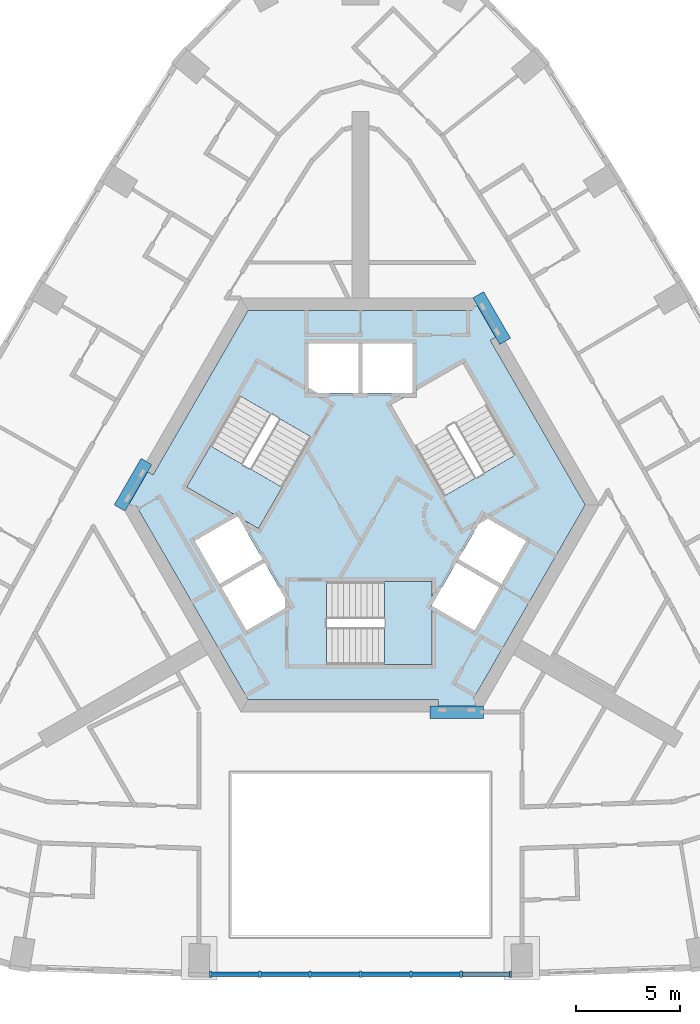
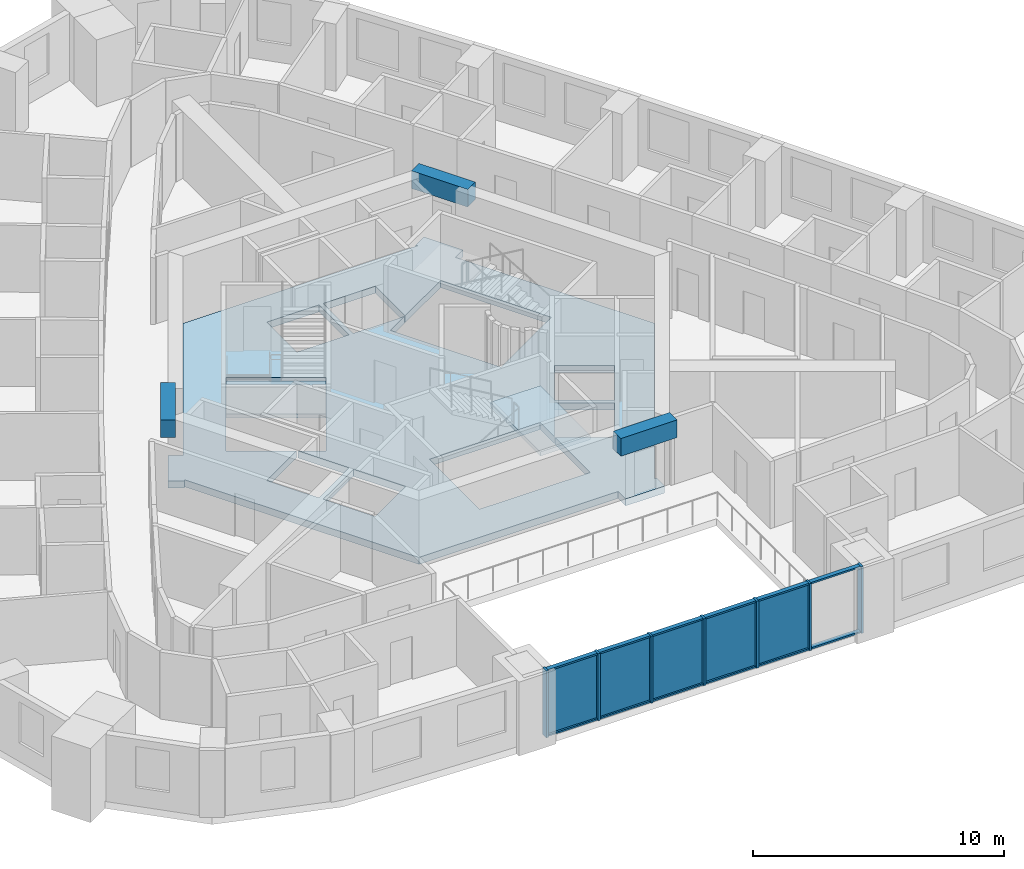
# One storey, part 2 of 12: 19 members, 5 plates, 3 beams, 3 slabs, 3 elements without a shape of their own.
"""IFC4 building model written with IfcOpenShell, lengths in metres."""

from ifc_helpers import new_model, si_unit, direction, frame, origin, origin_2d, place, context, subcontext, project, spatial, polyline, rectangle, outline, extrude, material, layer, layer_set, material_profile, profile_set, type_object, element, aggregate, save


model = new_model("IFC4")

# Units and contexts
model_context = context("Model", 3, precision=1e-05, world=origin(), true_north=direction((0.0, 1.0)))
body_context = subcontext(model_context, "Body", "Model", "MODEL_VIEW")
ifc_project = project(units=[si_unit("LENGTHUNIT", "METRE"), si_unit("AREAUNIT", "SQUARE_METRE"), si_unit("VOLUMEUNIT", "CUBIC_METRE"), si_unit("PLANEANGLEUNIT", "RADIAN"), si_unit("MASSUNIT", "GRAM", prefix="KILO")], contexts=[model_context])

# Site, building, storey
site_placement = place(None, origin())
site = spatial("IfcSite", under=ifc_project, at=site_placement, CompositionType="ELEMENT")
building_placement = place(site_placement, origin())
building = spatial("IfcBuilding", under=site, at=building_placement, Name="Entoto Arch Interchange Tower", CompositionType="ELEMENT")
storey_placement = place(building_placement, frame((0.0, 0.0, 255.800048828125)))
storey = spatial("IfcBuildingStorey", under=building, at=storey_placement, Name="L58", CompositionType="ELEMENT", Elevation=255.800048828125)

# Beams
ifc_material_1 = material(Name="Concrete C40/50", Category="concrete")
ifc_material_profile_1 = material_profile(ifc_material_1, rectangle(XDim=0.60009765625, YDim=0.860107421875, at=origin_2d()))
ifc_profile_set_1 = profile_set([ifc_material_profile_1], Name="Concrete C40/50")
beam_type = type_object("IfcBeamType", Name="Coupling beam RC 600x860 C40/50", PredefinedType="BEAM", material=ifc_profile_set_1)
beam_1_placement = place(storey_placement, frame((6.986083984375, 10.40087890625, 2.829833984375), z_axis=(-0.500379508478, 0.865806183562, 0.0), x_axis=(-0.865806183562, -0.500379508478, 0.0)))
element("IfcBeam", 1, at=beam_1_placement, inside=storey, type_object=beam_type, Name="Coupling beam NE L58", PredefinedType="BEAM", context=body_context, shape_type="SweptSolid", body=[
    extrude(rectangle(XDim=0.60009765625, YDim=0.860107421875, at=origin_2d()), origin(), (0.0, 0.0, 1.0), 2.59423828125),
])
beam_2_placement = place(storey_placement, frame((-10.3359375, 4.59912109375, 2.829833984375), z_axis=(-0.499814819145, -0.866132291606, 0.0), x_axis=(0.866132291606, -0.499814819145, 0.0)))
element("IfcBeam", 2, at=beam_2_placement, inside=storey, type_object=beam_type, Name="Coupling beam NW L58", PredefinedType="BEAM", context=body_context, shape_type="SweptSolid", body=[
    extrude(rectangle(XDim=0.60009765625, YDim=0.860107421875, at=origin_2d()), origin(), (0.0, 0.0, 1.0), 2.59326171875),
])
beam_3_placement = place(storey_placement, frame((3.35009765625, -7.5, 2.829833984375), z_axis=(1.0, 0.0, 0.0), x_axis=(0.0, 1.0, 0.0)))
element("IfcBeam", 3, at=beam_3_placement, inside=storey, type_object=beam_type, Name="Coupling beam S L58", PredefinedType="BEAM", context=body_context, shape_type="SweptSolid", body=[
    extrude(rectangle(XDim=0.60009765625, YDim=0.860107421875, at=origin_2d()), origin(), (0.0, 0.0, 1.0), 2.593994140625),
])

# Curtain wall, members
ifc_material_2 = material(Name="Aluminium, anodised", Category="aluminium")
curtain_wall_type = type_object("IfcCurtainWallType", Name="CURTAIN WALL ATRIUM", PredefinedType="NOTDEFINED", material=ifc_material_2)
curtain_wall_placement = place(storey_placement, origin())
curtain_wall = element("IfcCurtainWall", 4, at=curtain_wall_placement, inside=storey, type_object=curtain_wall_type, Name="Atrium glazing S-02 L58", PredefinedType="NOTDEFINED")
ifc_material_profile_2 = material_profile(ifc_material_2, rectangle(XDim=0.300048828125, YDim=0.10009765625, at=origin_2d()))
ifc_profile_set_2 = profile_set([ifc_material_profile_2], Name="Aluminium, anodised")
member_type_1 = type_object("IfcMemberType", Name="MULLION ATRIUM 100x300", PredefinedType="MULLION", material=ifc_profile_set_2)
member_1_placement = place(storey_placement, frame((-7.2490234375, -20.1640625, 0.0), z_axis=(0.0, 0.0, 1.0), x_axis=(0.0, 1.0, 0.0)))
member_1 = element("IfcMember", 5, at=member_1_placement, type_object=member_type_1, Name="CWA mullion 1", PredefinedType="MULLION", context=body_context, shape_type="SweptSolid", body=[
    extrude(rectangle(XDim=0.300048828125, YDim=0.10009765625, at=origin_2d()), origin(), (0.0, 0.0, 1.0), 3.260009765625),
])
member_2_placement = place(storey_placement, frame((-4.865966796875, -20.1640625, 0.0), z_axis=(0.0, 0.0, 1.0), x_axis=(0.0, 1.0, 0.0)))
member_2 = element("IfcMember", 6, at=member_2_placement, type_object=member_type_1, Name="CWA mullion 2", PredefinedType="MULLION", context=body_context, shape_type="SweptSolid", body=[
    extrude(rectangle(XDim=0.300048828125, YDim=0.10009765625, at=origin_2d()), origin(), (0.0, 0.0, 1.0), 3.260009765625),
])
member_3_placement = place(storey_placement, frame((-2.43310546875, -20.1640625, 0.0), z_axis=(0.0, 0.0, 1.0), x_axis=(0.0, 1.0, 0.0)))
member_3 = element("IfcMember", 7, at=member_3_placement, type_object=member_type_1, Name="CWA mullion 3", PredefinedType="MULLION", context=body_context, shape_type="SweptSolid", body=[
    extrude(rectangle(XDim=0.300048828125, YDim=0.10009765625, at=origin_2d()), origin(), (0.0, 0.0, 1.0), 3.260009765625),
])
member_4_placement = place(storey_placement, frame((0.0, -20.1640625, 0.0), z_axis=(0.0, 0.0, 1.0), x_axis=(0.0, 1.0, 0.0)))
member_4 = element("IfcMember", 8, at=member_4_placement, type_object=member_type_1, Name="CWA mullion 4", PredefinedType="MULLION", context=body_context, shape_type="SweptSolid", body=[
    extrude(rectangle(XDim=0.300048828125, YDim=0.10009765625, at=origin_2d()), origin(), (0.0, 0.0, 1.0), 3.260009765625),
])
member_5_placement = place(storey_placement, frame((2.43310546875, -20.1640625, 0.0), z_axis=(0.0, 0.0, 1.0), x_axis=(0.0, 1.0, 0.0)))
member_5 = element("IfcMember", 9, at=member_5_placement, type_object=member_type_1, Name="CWA mullion 5", PredefinedType="MULLION", context=body_context, shape_type="SweptSolid", body=[
    extrude(rectangle(XDim=0.300048828125, YDim=0.10009765625, at=origin_2d()), origin(), (0.0, 0.0, 1.0), 3.260009765625),
])
member_6_placement = place(storey_placement, frame((4.865966796875, -20.1640625, 0.0), z_axis=(0.0, 0.0, 1.0), x_axis=(0.0, 1.0, 0.0)))
member_6 = element("IfcMember", 10, at=member_6_placement, type_object=member_type_1, Name="CWA mullion 6", PredefinedType="MULLION", context=body_context, shape_type="SweptSolid", body=[
    extrude(rectangle(XDim=0.300048828125, YDim=0.10009765625, at=origin_2d()), origin(), (0.0, 0.0, 1.0), 3.260009765625),
])
member_7_placement = place(storey_placement, frame((7.2490234375, -20.1640625, 0.0), z_axis=(0.0, 0.0, 1.0), x_axis=(0.0, 1.0, 0.0)))
member_7 = element("IfcMember", 11, at=member_7_placement, type_object=member_type_1, Name="CWA mullion 7", PredefinedType="MULLION", context=body_context, shape_type="SweptSolid", body=[
    extrude(rectangle(XDim=0.300048828125, YDim=0.10009765625, at=origin_2d()), origin(), (0.0, 0.0, 1.0), 3.260009765625),
])
ifc_material_profile_3 = material_profile(ifc_material_2, rectangle(XDim=0.199951171875, YDim=0.080078125, at=origin_2d()))
ifc_profile_set_3 = profile_set([ifc_material_profile_3], Name="Aluminium, anodised")
member_type_2 = type_object("IfcMemberType", Name="TRANSOM ATRIUM 80x200", PredefinedType="USERDEFINED", material=ifc_profile_set_3)
member_8_placement = place(storey_placement, frame((-7.198974609375, -20.1640625, 0.0400390625), z_axis=(1.0, 0.0, 0.0), x_axis=(0.0, 1.0, 0.0)))
member_8 = element("IfcMember", 12, at=member_8_placement, type_object=member_type_2, Name="CWA transom 1.1", ObjectType="TRANSOM", PredefinedType="USERDEFINED", context=body_context, shape_type="SweptSolid", body=[
    extrude(rectangle(XDim=0.199951171875, YDim=0.080078125, at=origin_2d()), origin(), (0.0, 0.0, 1.0), 2.282958984375),
])
member_9_placement = place(storey_placement, frame((-7.198974609375, -20.1640625, 3.219970703125), z_axis=(1.0, 0.0, 0.0), x_axis=(0.0, 1.0, 0.0)))
member_9 = element("IfcMember", 13, at=member_9_placement, type_object=member_type_2, Name="CWA transom 1.2", ObjectType="TRANSOM", PredefinedType="USERDEFINED", context=body_context, shape_type="SweptSolid", body=[
    extrude(rectangle(XDim=0.199951171875, YDim=0.080078125, at=origin_2d()), origin(), (0.0, 0.0, 1.0), 2.282958984375),
])
member_10_placement = place(storey_placement, frame((-4.81591796875, -20.1640625, 0.0400390625), z_axis=(1.0, 0.0, 0.0), x_axis=(0.0, 1.0, 0.0)))
member_10 = element("IfcMember", 14, at=member_10_placement, type_object=member_type_2, Name="CWA transom 2.1", ObjectType="TRANSOM", PredefinedType="USERDEFINED", context=body_context, shape_type="SweptSolid", body=[
    extrude(rectangle(XDim=0.199951171875, YDim=0.080078125, at=origin_2d()), origin(), (0.0, 0.0, 1.0), 2.3330078125),
])
member_11_placement = place(storey_placement, frame((-4.81591796875, -20.1640625, 3.219970703125), z_axis=(1.0, 0.0, 0.0), x_axis=(0.0, 1.0, 0.0)))
member_11 = element("IfcMember", 15, at=member_11_placement, type_object=member_type_2, Name="CWA transom 2.2", ObjectType="TRANSOM", PredefinedType="USERDEFINED", context=body_context, shape_type="SweptSolid", body=[
    extrude(rectangle(XDim=0.199951171875, YDim=0.080078125, at=origin_2d()), origin(), (0.0, 0.0, 1.0), 2.3330078125),
])
member_12_placement = place(storey_placement, frame((-2.383056640625, -20.1640625, 0.0400390625), z_axis=(1.0, 0.0, 0.0), x_axis=(0.0, 1.0, 0.0)))
member_12 = element("IfcMember", 16, at=member_12_placement, type_object=member_type_2, Name="CWA transom 3.1", ObjectType="TRANSOM", PredefinedType="USERDEFINED", context=body_context, shape_type="SweptSolid", body=[
    extrude(rectangle(XDim=0.199951171875, YDim=0.080078125, at=origin_2d()), origin(), (0.0, 0.0, 1.0), 2.3330078125),
])
member_13_placement = place(storey_placement, frame((-2.383056640625, -20.1640625, 3.219970703125), z_axis=(1.0, 0.0, 0.0), x_axis=(0.0, 1.0, 0.0)))
member_13 = element("IfcMember", 17, at=member_13_placement, type_object=member_type_2, Name="CWA transom 3.2", ObjectType="TRANSOM", PredefinedType="USERDEFINED", context=body_context, shape_type="SweptSolid", body=[
    extrude(rectangle(XDim=0.199951171875, YDim=0.080078125, at=origin_2d()), origin(), (0.0, 0.0, 1.0), 2.3330078125),
])
member_14_placement = place(storey_placement, frame((0.050048828125, -20.1640625, 0.0400390625), z_axis=(1.0, 0.0, 0.0), x_axis=(0.0, 1.0, 0.0)))
member_14 = element("IfcMember", 18, at=member_14_placement, type_object=member_type_2, Name="CWA transom 4.1", ObjectType="TRANSOM", PredefinedType="USERDEFINED", context=body_context, shape_type="SweptSolid", body=[
    extrude(rectangle(XDim=0.199951171875, YDim=0.080078125, at=origin_2d()), origin(), (0.0, 0.0, 1.0), 2.3330078125),
])
member_15_placement = place(storey_placement, frame((0.050048828125, -20.1640625, 3.219970703125), z_axis=(1.0, 0.0, 0.0), x_axis=(0.0, 1.0, 0.0)))
member_15 = element("IfcMember", 19, at=member_15_placement, type_object=member_type_2, Name="CWA transom 4.2", ObjectType="TRANSOM", PredefinedType="USERDEFINED", context=body_context, shape_type="SweptSolid", body=[
    extrude(rectangle(XDim=0.199951171875, YDim=0.080078125, at=origin_2d()), origin(), (0.0, 0.0, 1.0), 2.3330078125),
])
member_16_placement = place(storey_placement, frame((2.48291015625, -20.1640625, 0.0400390625), z_axis=(1.0, 0.0, 0.0), x_axis=(0.0, 1.0, 0.0)))
member_16 = element("IfcMember", 20, at=member_16_placement, type_object=member_type_2, Name="CWA transom 5.1", ObjectType="TRANSOM", PredefinedType="USERDEFINED", context=body_context, shape_type="SweptSolid", body=[
    extrude(rectangle(XDim=0.199951171875, YDim=0.080078125, at=origin_2d()), origin(), (0.0, 0.0, 1.0), 2.3330078125),
])
member_17_placement = place(storey_placement, frame((2.48291015625, -20.1640625, 3.219970703125), z_axis=(1.0, 0.0, 0.0), x_axis=(0.0, 1.0, 0.0)))
member_17 = element("IfcMember", 21, at=member_17_placement, type_object=member_type_2, Name="CWA transom 5.2", ObjectType="TRANSOM", PredefinedType="USERDEFINED", context=body_context, shape_type="SweptSolid", body=[
    extrude(rectangle(XDim=0.199951171875, YDim=0.080078125, at=origin_2d()), origin(), (0.0, 0.0, 1.0), 2.3330078125),
])
member_18_placement = place(storey_placement, frame((4.916015625, -20.1640625, 0.0400390625), z_axis=(1.0, 0.0, 0.0), x_axis=(0.0, 1.0, 0.0)))
member_18 = element("IfcMember", 22, at=member_18_placement, type_object=member_type_2, Name="CWA transom 6.1", ObjectType="TRANSOM", PredefinedType="USERDEFINED", context=body_context, shape_type="SweptSolid", body=[
    extrude(rectangle(XDim=0.199951171875, YDim=0.080078125, at=origin_2d()), origin(), (0.0, 0.0, 1.0), 2.282958984375),
])
member_19_placement = place(storey_placement, frame((4.916015625, -20.1640625, 3.219970703125), z_axis=(1.0, 0.0, 0.0), x_axis=(0.0, 1.0, 0.0)))
member_19 = element("IfcMember", 23, at=member_19_placement, type_object=member_type_2, Name="CWA transom 6.2", ObjectType="TRANSOM", PredefinedType="USERDEFINED", context=body_context, shape_type="SweptSolid", body=[
    extrude(rectangle(XDim=0.199951171875, YDim=0.080078125, at=origin_2d()), origin(), (0.0, 0.0, 1.0), 2.282958984375),
])

# Slab
ifc_layer_1 = layer(ifc_material_1, 0.340087890625)
ifc_layer_set_1 = layer_set([ifc_layer_1], Name="Concrete C40/50")
slab_type_1 = type_object("IfcSlabType", Name="Core floor slab 340 C40/50", PredefinedType="FLOOR", material=ifc_layer_set_1)
slab_1_placement = place(storey_placement, frame((0.0, 0.0, -0.340087890625)))
element("IfcSlab", 24, at=slab_1_placement, inside=storey, type_object=slab_type_1, Name="Core floor slab L58", PredefinedType="FLOOR", context=body_context, shape_type="SweptSolid", body=[
    extrude(outline(polyline([(-10.824951171875, 2.450927734375), (-10.8701171875, 2.3740234375), (-11.431884765625, 2.698974609375), (-10.535888671875, 4.2529296875), (-10.014892578125, 3.952880859375), (-5.427001953125, 11.89990234375), (5.368896484375, 11.89990234375), (5.325927734375, 11.97607421875), (5.887939453125, 12.301025390625), (6.784912109375, 10.7470703125), (6.26611328125, 10.447021484375), (10.85400390625, 2.5), (5.4560546875, -6.85009765625), (5.5439453125, -6.85009765625), (5.5439453125, -7.5), (3.75, -7.5), (3.75, -6.89990234375), (-5.427001953125, -6.89990234375), (-10.824951171875, 2.450927734375)]), holes=[polyline([(-1.64990234375, -5.199951171875), (3.449951171875, -5.199951171875), (3.449951171875, -2.3779296875), (5.5048828125, -3.56494140625), (6.705078125, -1.487060546875), (4.626953125, -0.287109375), (3.449951171875, -2.324951171875), (3.449951171875, -1.199951171875), (-1.64990234375, -1.199951171875), (-1.64990234375, -5.199951171875)]), polyline([(-4.626953125, -0.287109375), (-6.705078125, -1.487060546875), (-5.5048828125, -3.56494140625), (-3.427001953125, -2.364990234375), (-4.626953125, -0.287109375)]), polyline([(-5.904052734375, 1.925048828125), (-4.928955078125, 1.362060546875), (-2.37890625, 5.779052734375), (-5.843017578125, 7.779052734375), (-8.39306640625, 3.362060546875), (-5.949951171875, 1.951904296875), (-8.0048828125, 0.764892578125), (-6.804931640625, -1.31298828125), (-4.72705078125, -0.113037109375), (-5.904052734375, 1.925048828125)]), polyline([(4.72705078125, -0.113037109375), (6.804931640625, -1.31298828125), (8.0048828125, 0.764892578125), (5.927001953125, 1.965087890625), (4.72705078125, -0.113037109375)]), polyline([(2.5, 7.927001953125), (2.5, 10.300048828125), (0.10009765625, 10.300048828125), (0.10009765625, 7.89990234375), (2.452880859375, 7.89990234375), (1.47900390625, 7.337890625), (4.029052734375, 2.9208984375), (7.492919921875, 4.9208984375), (4.943115234375, 9.337890625), (2.5, 7.927001953125)]), polyline([(-2.5, 7.89990234375), (-0.10009765625, 7.89990234375), (-0.10009765625, 10.300048828125), (-2.5, 10.300048828125), (-2.5, 7.89990234375)])]), origin(), (0.0, 0.0, 1.0), 0.340087890625),
])

# Stair, slab
stair_type = type_object("IfcStairType", Name="EXIT STAIR RC 1800", PredefinedType="HALF_TURN_STAIR", material=ifc_material_1)
stair_1_placement = place(storey_placement, origin())
stair_1 = element("IfcStair", 25, at=stair_1_placement, inside=storey, type_object=stair_type, Name="L58 Exit stair S", PredefinedType="HALF_TURN_STAIR")
ifc_layer_2 = layer(ifc_material_1, 0.199951171875)
ifc_layer_set_2 = layer_set([ifc_layer_2], Name="Concrete C40/50")
slab_type_2 = type_object("IfcSlabType", Name="EXIT STAIR LANDING RC 200", PredefinedType="LANDING", material=ifc_layer_set_2)
slab_2_placement = place(storey_placement, frame((0.0, 0.0, 1.599853515625)))
slab_2 = element("IfcSlab", 26, at=slab_2_placement, type_object=slab_type_2, Name="ST-S landing 1", PredefinedType="LANDING", context=body_context, shape_type="SweptSolid", body=[
    extrude(outline(polyline([(1.14990234375, -5.199951171875), (3.449951171875, -5.199951171875), (3.449951171875, -1.199951171875), (1.14990234375, -1.199951171875), (1.14990234375, -5.199951171875)])), origin(), (0.0, 0.0, 1.0), 0.2001953125),
])
aggregate(stair_1, [slab_2])

stair_2_placement = place(storey_placement, origin())
stair_2 = element("IfcStair", 27, at=stair_2_placement, inside=storey, type_object=stair_type, Name="L58 Exit stair NW", PredefinedType="HALF_TURN_STAIR")
slab_3_placement = place(storey_placement, frame((0.0, 0.0, 1.599853515625)))
slab_3 = element("IfcSlab", 28, at=slab_3_placement, type_object=slab_type_2, Name="ST-NW landing 1", PredefinedType="LANDING", context=body_context, shape_type="SweptSolid", body=[
    extrude(outline(polyline([(-7.243408203125, 5.35400390625), (-8.393310546875, 3.3623046875), (-4.92919921875, 1.3623046875), (-3.779296875, 3.35400390625), (-7.243408203125, 5.35400390625)])), origin(), (0.0, 0.0, 1.0), 0.2001953125),
])
aggregate(stair_2, [slab_3])

# Plate
ifc_material_3 = material(Name="Clear glass, low-e double glazed", Category="glass")
ifc_layer_3 = layer(ifc_material_3, 0.031982421875)
ifc_layer_set_3 = layer_set([ifc_layer_3], Name="Clear glass, low-e double glazed")
plate_type = type_object("IfcPlateType", Name="GLAZING PANEL ATRIUM 32", PredefinedType="CURTAIN_PANEL", material=ifc_layer_set_3)
plate_1_placement = place(storey_placement, frame((-6.0576171875, -20.1640625, 0.079833984375), z_axis=(0.0, 0.0, 1.0), x_axis=(1.0, 0.0, 0.0)))
plate_1 = element("IfcPlate", 29, at=plate_1_placement, type_object=plate_type, Name="CWA panel 1.1", PredefinedType="CURTAIN_PANEL", context=body_context, shape_type="SweptSolid", body=[
    extrude(rectangle(XDim=2.282958984375, YDim=0.031982421875, at=origin_2d()), origin(), (0.0, 0.0, 1.0), 3.10009765625),
])

plate_2_placement = place(storey_placement, frame((-3.6494140625, -20.1640625, 0.079833984375), z_axis=(0.0, 0.0, 1.0), x_axis=(1.0, 0.0, 0.0)))
plate_2 = element("IfcPlate", 30, at=plate_2_placement, type_object=plate_type, Name="CWA panel 2.1", PredefinedType="CURTAIN_PANEL", context=body_context, shape_type="SweptSolid", body=[
    extrude(rectangle(XDim=2.3330078125, YDim=0.031982421875, at=origin_2d()), origin(), (0.0, 0.0, 1.0), 3.10009765625),
])

plate_3_placement = place(storey_placement, frame((-1.216552734375, -20.1640625, 0.079833984375), z_axis=(0.0, 0.0, 1.0), x_axis=(1.0, 0.0, 0.0)))
plate_3 = element("IfcPlate", 31, at=plate_3_placement, type_object=plate_type, Name="CWA panel 3.1", PredefinedType="CURTAIN_PANEL", context=body_context, shape_type="SweptSolid", body=[
    extrude(rectangle(XDim=2.3330078125, YDim=0.031982421875, at=origin_2d()), origin(), (0.0, 0.0, 1.0), 3.10009765625),
])

plate_4_placement = place(storey_placement, frame((1.216552734375, -20.1640625, 0.079833984375), z_axis=(0.0, 0.0, 1.0), x_axis=(1.0, 0.0, 0.0)))
plate_4 = element("IfcPlate", 32, at=plate_4_placement, type_object=plate_type, Name="CWA panel 4.1", PredefinedType="CURTAIN_PANEL", context=body_context, shape_type="SweptSolid", body=[
    extrude(rectangle(XDim=2.3330078125, YDim=0.031982421875, at=origin_2d()), origin(), (0.0, 0.0, 1.0), 3.10009765625),
])

plate_5_placement = place(storey_placement, frame((3.6494140625, -20.1640625, 0.079833984375), z_axis=(0.0, 0.0, 1.0), x_axis=(1.0, 0.0, 0.0)))
plate_5 = element("IfcPlate", 33, at=plate_5_placement, type_object=plate_type, Name="CWA panel 5.1", PredefinedType="CURTAIN_PANEL", context=body_context, shape_type="SweptSolid", body=[
    extrude(rectangle(XDim=2.3330078125, YDim=0.031982421875, at=origin_2d()), origin(), (0.0, 0.0, 1.0), 3.10009765625),
])

aggregate(curtain_wall, [member_1, member_2, member_3, member_4, member_5, member_6, member_7, member_8, member_9, plate_1, member_10, member_11, plate_2, member_12, member_13, plate_3, member_14, member_15, plate_4, member_16, member_17, plate_5, member_18, member_19])

save(model, "model.ifc")
